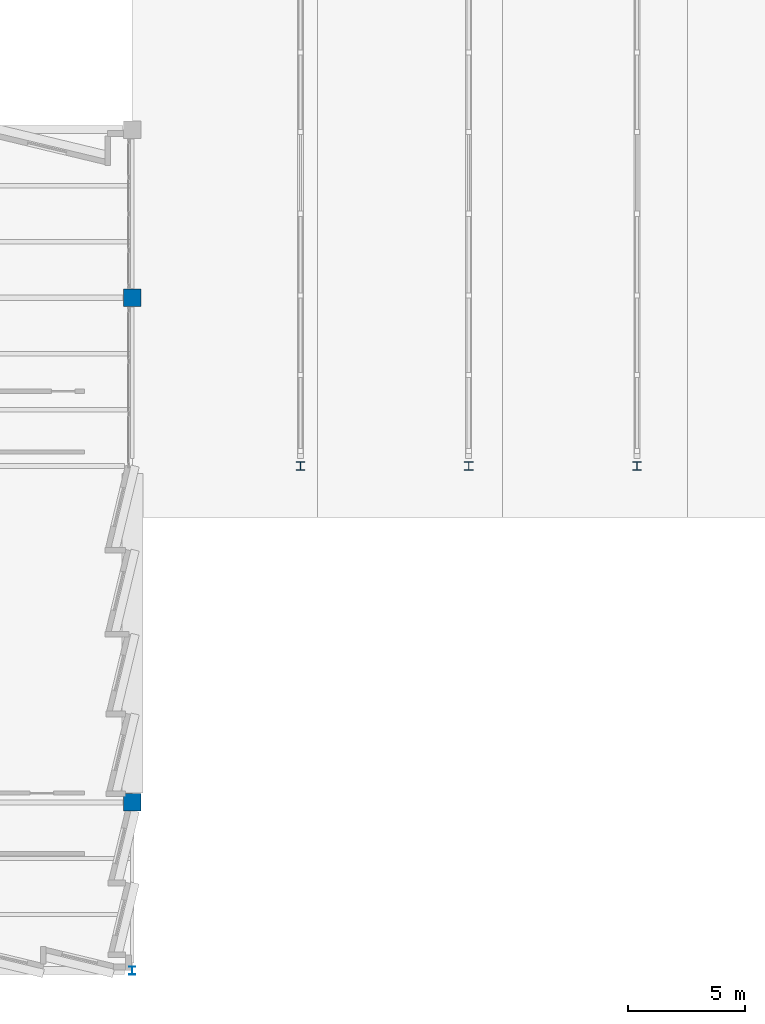
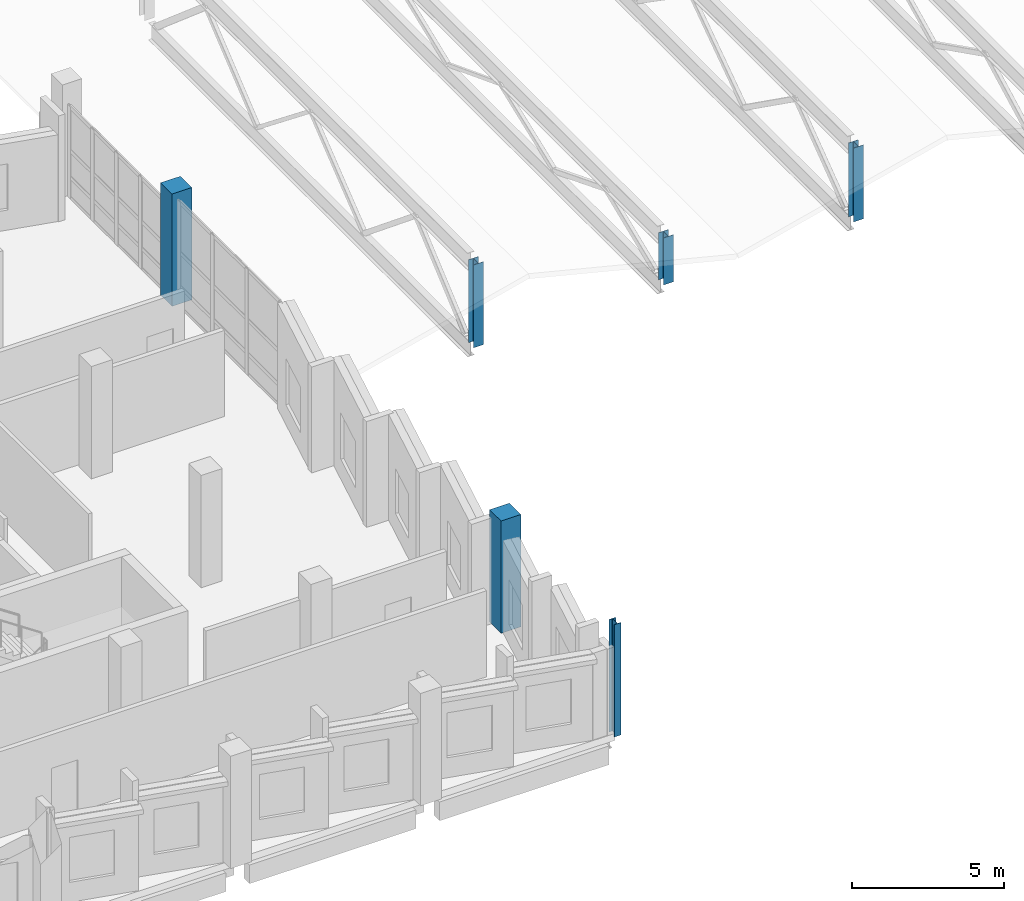
# One storey, part 2 of 123: 6 columns.
"""IFC4 building model written with IfcOpenShell, lengths in metres."""

from ifc_helpers import new_model, si_unit, direction, frame, origin, origin_2d, place, context, subcontext, project, spatial, rectangle, i_section, extrude, material, material_profile, profile_set, type_object, element, save


model = new_model("IFC4")

# Units and contexts
model_context = context("Model", 3, precision=1e-05, world=origin(), true_north=direction((0.0, 1.0)))
body_context = subcontext(model_context, "Body", "Model", "MODEL_VIEW")
ifc_project = project(units=[si_unit("LENGTHUNIT", "METRE"), si_unit("AREAUNIT", "SQUARE_METRE"), si_unit("VOLUMEUNIT", "CUBIC_METRE"), si_unit("PLANEANGLEUNIT", "RADIAN"), si_unit("MASSUNIT", "GRAM", prefix="KILO")], contexts=[model_context])

# Site, building, storey
site_placement = place(None, origin())
site = spatial("IfcSite", under=ifc_project, at=site_placement, CompositionType="ELEMENT")
building_placement = place(site_placement, origin())
building = spatial("IfcBuilding", under=site, at=building_placement, Name="Kalmorath City Hall", CompositionType="ELEMENT")
storey_placement = place(building_placement, frame((0.0, 0.0, 10.199951171875)))
storey = spatial("IfcBuildingStorey", under=building, at=storey_placement, Name="L02", CompositionType="ELEMENT", Elevation=10.199951171875)

# Columns
ifc_material_1 = material(Name="Concrete C50/60", Category="concrete")
ifc_material_profile_1 = material_profile(ifc_material_1, rectangle(XDim=0.75, YDim=0.75, at=origin_2d()), Name="RC-COL-750X750")
ifc_profile_set_1 = profile_set([ifc_material_profile_1], Name="Concrete C50/60")
column_type_1 = type_object("IfcColumnType", Name="Concrete column 750x750", PredefinedType="COLUMN", material=ifc_profile_set_1)
for number, where, z_axis, x_axis, name in (
    (1, (36.0, 7.199951171875, 0.0), (0.0, 0.0, 1.0), (1.0, 0.0, 0.0), "L02 column C3 (6/2)"),
    (2, (36.0, 28.800048828125, 0.0), (0.0, 0.0, 1.0), (1.0, 0.0, 0.0), "L02 column C3 (6/5)"),
):
    element("IfcColumn", number, at=place(storey_placement, frame(where, z_axis=z_axis, x_axis=x_axis)), inside=storey, type_object=column_type_1, Name=name, PredefinedType="COLUMN", context=body_context, shape_type="SweptSolid", body=[
        extrude(rectangle(XDim=0.75, YDim=0.75, at=origin_2d()), origin(), (0.0, 0.0, 1.0), 4.5),
    ])
ifc_material_2 = material(Name="Steel ASTM A992 Grade 50", Category="steel")
ifc_material_profile_2 = material_profile(ifc_material_2, i_section(OverallWidth=0.25390625, OverallDepth=0.35302734375, WebThickness=0.009521484375, FlangeThickness=0.016357421875, FilletRadius=0.014892578125, at=origin_2d()), Name="W14X61")
ifc_profile_set_2 = profile_set([ifc_material_profile_2], Name="Steel ASTM A992 Grade 50")
column_type_2 = type_object("IfcColumnType", Name="Steel wide-flange column W14X61", PredefinedType="COLUMN", material=ifc_profile_set_2)
column_1_placement = place(storey_placement, frame((36.0, 0.0, 0.0), z_axis=(0.0, 0.0, 1.0), x_axis=(1.0, 0.0, 0.0)))
element("IfcColumn", 3, at=column_1_placement, inside=storey, type_object=column_type_2, Name="L02 column SC1 (6/1)", PredefinedType="COLUMN", context=body_context, shape_type="SweptSolid", body=[
    extrude(i_section(OverallWidth=0.25390625, OverallDepth=0.35302734375, WebThickness=0.009521484375, FlangeThickness=0.016357421875, FilletRadius=0.014892578125, at=origin_2d()), origin(), (0.0, 0.0, 1.0), 4.5),
])
ifc_material_3 = material(Name="Steel ASTM A992 Grade 50", Category="steel")
ifc_material_profile_3 = material_profile(ifc_material_3, i_section(OverallWidth=0.368896484375, OverallDepth=0.35595703125, WebThickness=0.01123046875, FlangeThickness=0.01806640625, FilletRadius=0.01806640625, at=origin_2d()), Name="W14X90")
ifc_profile_set_3 = profile_set([ifc_material_profile_3], Name="Steel ASTM A992 Grade 50")
column_type_3 = type_object("IfcColumnType", Name="Steel wide-flange column W14X90", PredefinedType="COLUMN", material=ifc_profile_set_3)
column_2_placement = place(storey_placement, frame((43.199951171875, 21.60009765625, 0.0), z_axis=(0.0, 0.0, 1.0), x_axis=(1.0, 0.0, 0.0)))
element("IfcColumn", 4, at=column_2_placement, inside=storey, type_object=column_type_3, Name="L02 hall truss column SC3-1.3", PredefinedType="COLUMN", context=body_context, shape_type="SweptSolid", body=[
    extrude(i_section(OverallWidth=0.368896484375, OverallDepth=0.35595703125, WebThickness=0.01123046875, FlangeThickness=0.01806640625, FilletRadius=0.01806640625, at=origin_2d()), origin(), (0.0, 0.0, 1.0), 3.320068359375),
])
column_3_placement = place(storey_placement, frame((50.39990234375, 21.60009765625, 0.0), z_axis=(0.0, 0.0, 1.0), x_axis=(1.0, 0.0, 0.0)))
element("IfcColumn", 5, at=column_3_placement, inside=storey, type_object=column_type_3, Name="L02 hall truss column SC3-2.3", PredefinedType="COLUMN", context=body_context, shape_type="SweptSolid", body=[
    extrude(i_section(OverallWidth=0.368896484375, OverallDepth=0.35595703125, WebThickness=0.01123046875, FlangeThickness=0.01806640625, FilletRadius=0.01806640625, at=origin_2d()), origin(), (0.0, 0.0, 1.0), 1.880126953125),
])
column_4_placement = place(storey_placement, frame((57.60009765625, 21.60009765625, 0.0), z_axis=(0.0, 0.0, 1.0), x_axis=(1.0, 0.0, 0.0)))
element("IfcColumn", 6, at=column_4_placement, inside=storey, type_object=column_type_3, Name="L02 hall truss column SC3-3.3", PredefinedType="COLUMN", context=body_context, shape_type="SweptSolid", body=[
    extrude(i_section(OverallWidth=0.368896484375, OverallDepth=0.35595703125, WebThickness=0.01123046875, FlangeThickness=0.01806640625, FilletRadius=0.01806640625, at=origin_2d()), origin(), (0.0, 0.0, 1.0), 2.9599609375),
])

save(model, "model.ifc")
